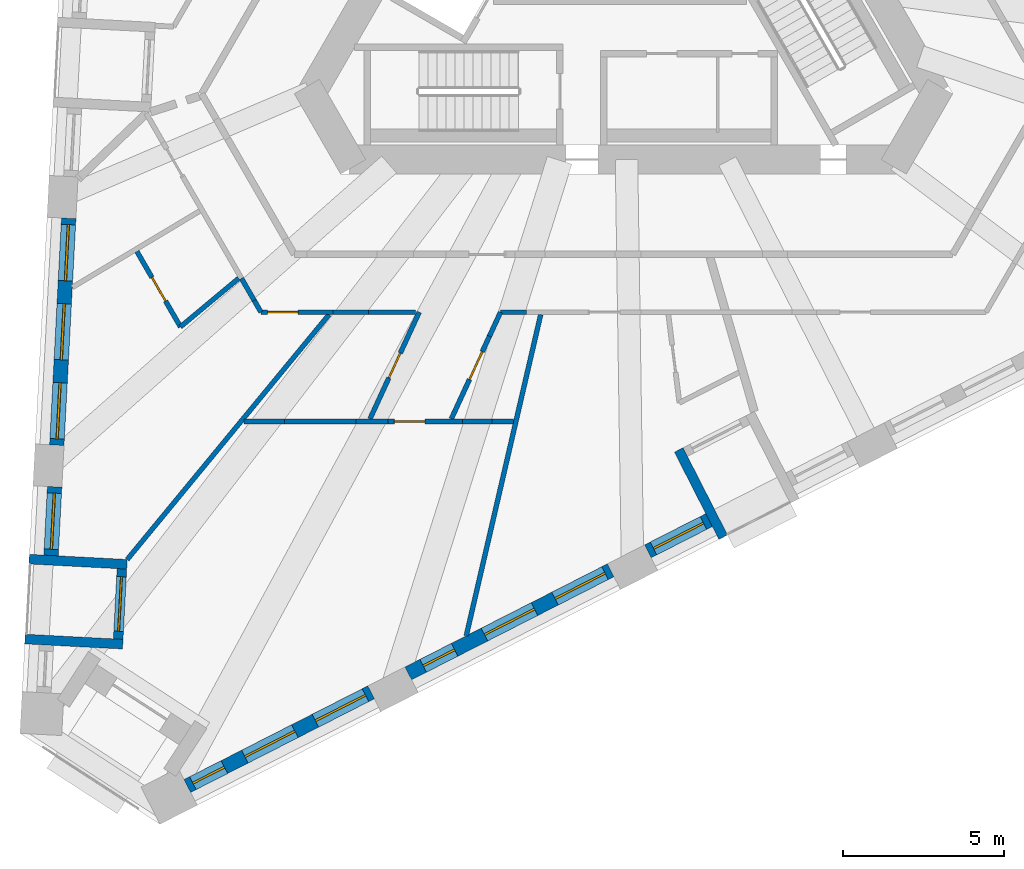
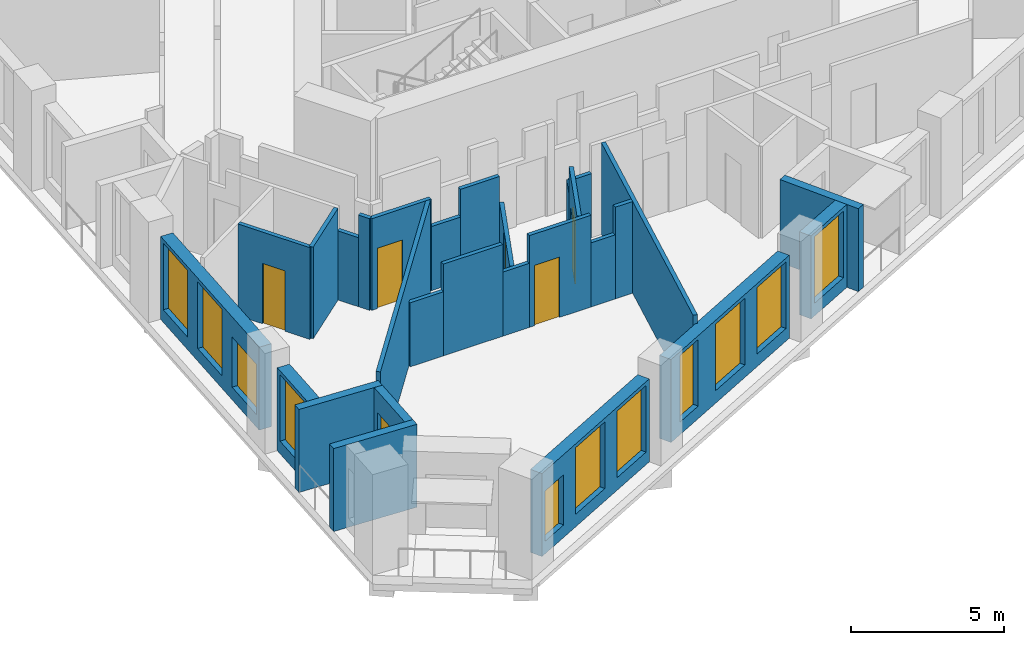
# One storey, part 2 of 13: 28 walls, 11 windows, 6 doors, 17 openings.
"""IFC4 building model written with IfcOpenShell, lengths in metres."""

from ifc_helpers import new_model, si_unit, direction, frame, frame_2d, origin, place, context, subcontext, project, spatial, rectangle, extrude, material, layer, layer_set, type_object, element, fill, save


model = new_model("IFC4")

# Units and contexts
model_context = context("Model", 3, precision=1e-05, world=origin(), true_north=direction((0.0, 1.0)))
body_context = subcontext(model_context, "Body", "Model", "MODEL_VIEW")
ifc_project = project(units=[si_unit("LENGTHUNIT", "METRE"), si_unit("AREAUNIT", "SQUARE_METRE"), si_unit("VOLUMEUNIT", "CUBIC_METRE"), si_unit("PLANEANGLEUNIT", "RADIAN"), si_unit("MASSUNIT", "GRAM", prefix="KILO")], contexts=[model_context])

# Site, building, storey
site_placement = place(None, origin())
site = spatial("IfcSite", under=ifc_project, at=site_placement, CompositionType="ELEMENT")
building_placement = place(site_placement, origin())
building = spatial("IfcBuilding", under=site, at=building_placement, Name="Tramontana Tower", CompositionType="ELEMENT")
storey_placement = place(building_placement, frame((0.0, 0.0, 137.60009765625)))
storey = spatial("IfcBuildingStorey", under=building, at=storey_placement, Name="L31", CompositionType="ELEMENT", Elevation=137.60009765625)

# Wall, openings, windows
ifc_material_1 = material(Name="Precast concrete 60 MPa", Category="concrete")
ifc_layer_1 = layer(ifc_material_1, 0.449951171875)
ifc_layer_set_1 = layer_set([ifc_layer_1], Name="Precast concrete 60 MPa, 450 mm")
wall_type_1 = type_object("IfcWallType", Name="EW1 Stone-faced precast wall 450", PredefinedType="SOLIDWALL", material=ifc_layer_set_1)
wall_1_placement = place(storey_placement, frame((-17.274169921875, -8.128662109375, 0.0), z_axis=(0.0, 0.0, 1.0), x_axis=(-0.052339570873, -0.998629345313, 0.0)))
wall_1 = element("IfcWall", 1, at=wall_1_placement, inside=storey, type_object=wall_type_1, Name="External wall L31 face 0 bay 5", PredefinedType="SOLIDWALL", context=body_context, shape_type="SweptSolid", body=[
    extrude(rectangle(XDim=7.071533203125, YDim=0.449951171875, at=frame_2d((3.53564453125, 0.0))), origin(), (0.0, 0.0, 1.0), 3.2998046875),
])
opening_1_placement = place(wall_1_placement, frame((0.1953125, 0.0, 0.5)))
opening_1 = element("IfcOpeningElement", 2, at=opening_1_placement, cuts=wall_1, Name="Opening M2", PredefinedType="OPENING", context=body_context, shape_type="SweptSolid", body=[
    extrude(rectangle(XDim=1.75, YDim=2.64990234375, at=frame_2d((0.875, 1.324951171875))), frame((0.0, 0.23486328125, 0.0), z_axis=(0.0, -1.0, 0.0), x_axis=(1.0, 0.0, 0.0)), (0.0, 0.0, 1.0), 0.469970703125),
])
opening_2_placement = place(wall_1_placement, frame((2.660888671875, 0.0, 0.5)))
opening_2 = element("IfcOpeningElement", 3, at=opening_2_placement, cuts=wall_1, Name="Opening M2", PredefinedType="OPENING", context=body_context, shape_type="SweptSolid", body=[
    extrude(rectangle(XDim=1.75, YDim=2.64990234375, at=frame_2d((0.875, 1.324951171875))), frame((0.0, 0.23486328125, 0.0), z_axis=(0.0, -1.0, 0.0), x_axis=(1.0, 0.0, 0.0)), (0.0, 0.0, 1.0), 0.469970703125),
])
opening_3_placement = place(wall_1_placement, frame((5.126220703125, 0.0, 0.5)))
opening_3 = element("IfcOpeningElement", 4, at=opening_3_placement, cuts=wall_1, Name="Opening M2L", PredefinedType="OPENING", context=body_context, shape_type="SweptSolid", body=[
    extrude(rectangle(XDim=1.75, YDim=2.0, at=frame_2d((0.875, 1.0))), frame((0.0, 0.23486328125, 0.0), z_axis=(0.0, -1.0, 0.0), x_axis=(1.0, 0.0, 0.0)), (0.0, 0.0, 1.0), 0.469970703125),
])
ifc_material_2 = material(Name="Aluminum frame, double glazing unit", Category="aluminium")
window_type_1 = type_object("IfcWindowType", Name="M2 Window 1.75 x 2.65", PartitioningType="SINGLE_PANEL", PredefinedType="WINDOW", material=ifc_material_2)
window_1_placement = place(opening_1_placement, origin())
window_1 = element("IfcWindow", 5, at=window_1_placement, inside=storey, type_object=window_type_1, Name="Window M2 L31 face 0 module 13", OverallHeight=2.64990234375, OverallWidth=1.75, PartitioningType="SINGLE_PANEL", PredefinedType="WINDOW", context=body_context, shape_type="SweptSolid", body=[
    extrude(rectangle(XDim=1.75, YDim=2.64990234375, at=frame_2d((0.875, 1.324951171875))), frame((0.0, 0.030029296875, 0.0), z_axis=(0.0, -1.0, 0.0), x_axis=(1.0, 0.0, 0.0)), (0.0, 0.0, 1.0), 0.06005859375),
])
fill(opening_1, window_1)
window_2_placement = place(opening_2_placement, origin())
window_2 = element("IfcWindow", 6, at=window_2_placement, inside=storey, type_object=window_type_1, Name="Window M2 L31 face 0 module 14", OverallHeight=2.64990234375, OverallWidth=1.75, PartitioningType="SINGLE_PANEL", PredefinedType="WINDOW", context=body_context, shape_type="SweptSolid", body=[
    extrude(rectangle(XDim=1.75, YDim=2.64990234375, at=frame_2d((0.875, 1.324951171875))), frame((0.0, 0.030029296875, 0.0), z_axis=(0.0, -1.0, 0.0), x_axis=(1.0, 0.0, 0.0)), (0.0, 0.0, 1.0), 0.06005859375),
])
fill(opening_2, window_2)
ifc_material_3 = material(Name="Aluminum frame, double glazing unit", Category="aluminium")
window_type_2 = type_object("IfcWindowType", Name="M2L Window 1.75 x 2", PartitioningType="SINGLE_PANEL", PredefinedType="WINDOW", material=ifc_material_3)
window_3_placement = place(opening_3_placement, origin())
window_3 = element("IfcWindow", 7, at=window_3_placement, inside=storey, type_object=window_type_2, Name="Window M2L L31 face 0 module 15", OverallHeight=2.0, OverallWidth=1.75, PartitioningType="SINGLE_PANEL", PredefinedType="WINDOW", context=body_context, shape_type="SweptSolid", body=[
    extrude(rectangle(XDim=1.75, YDim=2.0, at=frame_2d((0.875, 1.0))), frame((0.0, 0.030029296875, 0.0), z_axis=(0.0, -1.0, 0.0), x_axis=(1.0, 0.0, 0.0)), (0.0, 0.0, 1.0), 0.06005859375),
])
fill(opening_3, window_3)

# Wall, opening, window
wall_2_placement = place(storey_placement, frame((-17.712158203125, -16.48876953125, 0.0), z_axis=(0.0, 0.0, 1.0), x_axis=(-0.05234931875, -0.998628834366, 0.0)))
wall_2 = element("IfcWall", 8, at=wall_2_placement, inside=storey, type_object=wall_type_1, Name="External wall L31 face 0 bay 6", PredefinedType="SOLIDWALL", context=body_context, shape_type="SweptSolid", body=[
    extrude(rectangle(XDim=2.140625, YDim=0.449951171875, at=frame_2d((1.0703125, 0.0))), origin(), (0.0, 0.0, 1.0), 3.2998046875),
])
opening_4_placement = place(wall_2_placement, frame((0.1953125, 0.0, 0.5)))
opening_4 = element("IfcOpeningElement", 9, at=opening_4_placement, cuts=wall_2, Name="Opening M2", PredefinedType="OPENING", context=body_context, shape_type="SweptSolid", body=[
    extrude(rectangle(XDim=1.75, YDim=2.64990234375, at=frame_2d((0.875, 1.324951171875))), frame((0.0, 0.23486328125, 0.0), z_axis=(0.0, -1.0, 0.0), x_axis=(1.0, 0.0, 0.0)), (0.0, 0.0, 1.0), 0.469970703125),
])
window_4_placement = place(opening_4_placement, origin())
window_4 = element("IfcWindow", 10, at=window_4_placement, inside=storey, type_object=window_type_1, Name="Window M2 L31 face 0 module 16", OverallHeight=2.64990234375, OverallWidth=1.75, PartitioningType="SINGLE_PANEL", PredefinedType="WINDOW", context=body_context, shape_type="SweptSolid", body=[
    extrude(rectangle(XDim=1.75, YDim=2.64990234375, at=frame_2d((0.875, 1.324951171875))), frame((0.0, 0.030029296875, 0.0), z_axis=(0.0, -1.0, 0.0), x_axis=(1.0, 0.0, 0.0)), (0.0, 0.0, 1.0), 0.06005859375),
])
fill(opening_4, window_4)

# Wall, openings, windows
wall_3_placement = place(storey_placement, frame((-13.580810546875, -25.802734375, 0.0), z_axis=(0.0, 0.0, 1.0), x_axis=(0.891010191031, 0.453983303085, 0.0)))
wall_3 = element("IfcWall", 11, at=wall_3_placement, inside=storey, type_object=wall_type_1, Name="External wall L31 face 1 bay 1", PredefinedType="SOLIDWALL", context=body_context, shape_type="SweptSolid", body=[
    extrude(rectangle(XDim=6.421630859375, YDim=0.449951171875, at=frame_2d((3.2109375, 0.0))), origin(), (0.0, 0.0, 1.0), 3.2998046875),
])
opening_5_placement = place(wall_3_placement, frame((0.1953125, 0.0, 0.5)))
opening_5 = element("IfcOpeningElement", 12, at=opening_5_placement, cuts=wall_3, Name="Opening N2L", PredefinedType="OPENING", context=body_context, shape_type="SweptSolid", body=[
    extrude(rectangle(XDim=1.10009765625, YDim=2.0, at=frame_2d((0.550048828125, 1.0))), frame((0.0, 0.23486328125, 0.0), z_axis=(0.0, -1.0, 0.0), x_axis=(1.0, 0.0, 0.0)), (0.0, 0.0, 1.0), 0.469970703125),
])
opening_6_placement = place(wall_3_placement, frame((2.0107421875, 0.0, 0.5)))
opening_6 = element("IfcOpeningElement", 13, at=opening_6_placement, cuts=wall_3, Name="Opening M2", PredefinedType="OPENING", context=body_context, shape_type="SweptSolid", body=[
    extrude(rectangle(XDim=1.75, YDim=2.64990234375, at=frame_2d((0.875, 1.324951171875))), frame((0.0, 0.23486328125, 0.0), z_axis=(0.0, -1.0, 0.0), x_axis=(1.0, 0.0, 0.0)), (0.0, 0.0, 1.0), 0.469970703125),
])
opening_7_placement = place(wall_3_placement, frame((4.476318359375, 0.0, 0.5)))
opening_7 = element("IfcOpeningElement", 14, at=opening_7_placement, cuts=wall_3, Name="Opening M2", PredefinedType="OPENING", context=body_context, shape_type="SweptSolid", body=[
    extrude(rectangle(XDim=1.75, YDim=2.64990234375, at=frame_2d((0.875, 1.324951171875))), frame((0.0, 0.23486328125, 0.0), z_axis=(0.0, -1.0, 0.0), x_axis=(1.0, 0.0, 0.0)), (0.0, 0.0, 1.0), 0.469970703125),
])
window_5_placement = place(opening_6_placement, origin())
window_5 = element("IfcWindow", 15, at=window_5_placement, inside=storey, type_object=window_type_1, Name="Window M2 L31 face 1 module 2", OverallHeight=2.64990234375, OverallWidth=1.75, PartitioningType="SINGLE_PANEL", PredefinedType="WINDOW", context=body_context, shape_type="SweptSolid", body=[
    extrude(rectangle(XDim=1.75, YDim=2.64990234375, at=frame_2d((0.875, 1.324951171875))), frame((0.0, 0.030029296875, 0.0), z_axis=(0.0, -1.0, 0.0), x_axis=(1.0, 0.0, 0.0)), (0.0, 0.0, 1.0), 0.06005859375),
])
fill(opening_6, window_5)
window_6_placement = place(opening_7_placement, origin())
window_6 = element("IfcWindow", 16, at=window_6_placement, inside=storey, type_object=window_type_1, Name="Window M2 L31 face 1 module 3", OverallHeight=2.64990234375, OverallWidth=1.75, PartitioningType="SINGLE_PANEL", PredefinedType="WINDOW", context=body_context, shape_type="SweptSolid", body=[
    extrude(rectangle(XDim=1.75, YDim=2.64990234375, at=frame_2d((0.875, 1.324951171875))), frame((0.0, 0.030029296875, 0.0), z_axis=(0.0, -1.0, 0.0), x_axis=(1.0, 0.0, 0.0)), (0.0, 0.0, 1.0), 0.06005859375),
])
fill(opening_7, window_6)
ifc_material_4 = material(Name="Aluminum frame, double glazing unit", Category="aluminium")
window_type_3 = type_object("IfcWindowType", Name="N2L Window 1.1 x 2", PartitioningType="SINGLE_PANEL", PredefinedType="WINDOW", material=ifc_material_4)
window_7_placement = place(opening_5_placement, origin())
window_7 = element("IfcWindow", 17, at=window_7_placement, inside=storey, type_object=window_type_3, Name="Window N2L L31 face 1 module 1", OverallHeight=2.0, OverallWidth=1.10009765625, PartitioningType="SINGLE_PANEL", PredefinedType="WINDOW", context=body_context, shape_type="SweptSolid", body=[
    extrude(rectangle(XDim=1.10009765625, YDim=2.0, at=frame_2d((0.550048828125, 1.0))), frame((0.0, 0.030029296875, 0.0), z_axis=(0.0, -1.0, 0.0), x_axis=(1.0, 0.0, 0.0)), (0.0, 0.0, 1.0), 0.06005859375),
])
fill(opening_5, window_7)

wall_4_placement = place(storey_placement, frame((-6.70068359375, -22.29736328125, 0.0), z_axis=(0.0, 0.0, 1.0), x_axis=(0.891004189171, 0.45399508244, 0.0)))
wall_4 = element("IfcWall", 18, at=wall_4_placement, inside=storey, type_object=wall_type_1, Name="External wall L31 face 1 bay 2", PredefinedType="SOLIDWALL", context=body_context, shape_type="SweptSolid", body=[
    extrude(rectangle(XDim=7.071533203125, YDim=0.449951171875, at=frame_2d((3.53564453125, 0.0))), origin(), (0.0, 0.0, 1.0), 3.2998046875),
])
opening_8_placement = place(wall_4_placement, frame((0.520263671875, 0.0, 0.5)))
opening_8 = element("IfcOpeningElement", 19, at=opening_8_placement, cuts=wall_4, Name="Opening N2", PredefinedType="OPENING", context=body_context, shape_type="SweptSolid", body=[
    extrude(rectangle(XDim=1.10009765625, YDim=2.64990234375, at=frame_2d((0.550048828125, 1.324951171875))), frame((0.0, 0.23486328125, 0.0), z_axis=(0.0, -1.0, 0.0), x_axis=(1.0, 0.0, 0.0)), (0.0, 0.0, 1.0), 0.469970703125),
])
opening_9_placement = place(wall_4_placement, frame((2.660888671875, 0.0, 0.5)))
opening_9 = element("IfcOpeningElement", 20, at=opening_9_placement, cuts=wall_4, Name="Opening M2", PredefinedType="OPENING", context=body_context, shape_type="SweptSolid", body=[
    extrude(rectangle(XDim=1.75, YDim=2.64990234375, at=frame_2d((0.875, 1.324951171875))), frame((0.0, 0.23486328125, 0.0), z_axis=(0.0, -1.0, 0.0), x_axis=(1.0, 0.0, 0.0)), (0.0, 0.0, 1.0), 0.469970703125),
])
opening_10_placement = place(wall_4_placement, frame((5.126220703125, 0.0, 0.5)))
opening_10 = element("IfcOpeningElement", 21, at=opening_10_placement, cuts=wall_4, Name="Opening M2", PredefinedType="OPENING", context=body_context, shape_type="SweptSolid", body=[
    extrude(rectangle(XDim=1.75, YDim=2.64990234375, at=frame_2d((0.875, 1.324951171875))), frame((0.0, 0.23486328125, 0.0), z_axis=(0.0, -1.0, 0.0), x_axis=(1.0, 0.0, 0.0)), (0.0, 0.0, 1.0), 0.469970703125),
])
window_8_placement = place(opening_9_placement, origin())
window_8 = element("IfcWindow", 22, at=window_8_placement, inside=storey, type_object=window_type_1, Name="Window M2 L31 face 1 module 5", OverallHeight=2.64990234375, OverallWidth=1.75, PartitioningType="SINGLE_PANEL", PredefinedType="WINDOW", context=body_context, shape_type="SweptSolid", body=[
    extrude(rectangle(XDim=1.75, YDim=2.64990234375, at=frame_2d((0.875, 1.324951171875))), frame((0.0, 0.030029296875, 0.0), z_axis=(0.0, -1.0, 0.0), x_axis=(1.0, 0.0, 0.0)), (0.0, 0.0, 1.0), 0.06005859375),
])
fill(opening_9, window_8)
window_9_placement = place(opening_10_placement, origin())
window_9 = element("IfcWindow", 23, at=window_9_placement, inside=storey, type_object=window_type_1, Name="Window M2 L31 face 1 module 6", OverallHeight=2.64990234375, OverallWidth=1.75, PartitioningType="SINGLE_PANEL", PredefinedType="WINDOW", context=body_context, shape_type="SweptSolid", body=[
    extrude(rectangle(XDim=1.75, YDim=2.64990234375, at=frame_2d((0.875, 1.324951171875))), frame((0.0, 0.030029296875, 0.0), z_axis=(0.0, -1.0, 0.0), x_axis=(1.0, 0.0, 0.0)), (0.0, 0.0, 1.0), 0.06005859375),
])
fill(opening_10, window_9)
ifc_material_5 = material(Name="Aluminum frame, double glazing unit", Category="aluminium")
window_type_4 = type_object("IfcWindowType", Name="N2 Window 1.1 x 2.65", PartitioningType="SINGLE_PANEL", PredefinedType="WINDOW", material=ifc_material_5)
window_10_placement = place(opening_8_placement, origin())
window_10 = element("IfcWindow", 24, at=window_10_placement, inside=storey, type_object=window_type_4, Name="Window N2 L31 face 1 module 4", OverallHeight=2.64990234375, OverallWidth=1.10009765625, PartitioningType="SINGLE_PANEL", PredefinedType="WINDOW", context=body_context, shape_type="SweptSolid", body=[
    extrude(rectangle(XDim=1.10009765625, YDim=2.64990234375, at=frame_2d((0.550048828125, 1.324951171875))), frame((0.0, 0.030029296875, 0.0), z_axis=(0.0, -1.0, 0.0), x_axis=(1.0, 0.0, 0.0)), (0.0, 0.0, 1.0), 0.06005859375),
])
fill(opening_8, window_10)

# Wall, opening, window
wall_5_placement = place(storey_placement, frame((0.75830078125, -18.496826171875, 0.0), z_axis=(0.0, 0.0, 1.0), x_axis=(0.890979432498, 0.454043666254, 0.0)))
wall_5 = element("IfcWall", 25, at=wall_5_placement, inside=storey, type_object=wall_type_1, Name="External wall L31 face 1 bay 3", PredefinedType="SOLIDWALL", context=body_context, shape_type="SweptSolid", body=[
    extrude(rectangle(XDim=2.140625, YDim=0.449951171875, at=frame_2d((1.0703125, 0.0))), origin(), (0.0, 0.0, 1.0), 3.2998046875),
])
opening_11_placement = place(wall_5_placement, frame((0.1953125, 0.0, 0.5)))
opening_11 = element("IfcOpeningElement", 26, at=opening_11_placement, cuts=wall_5, Name="Opening M2", PredefinedType="OPENING", context=body_context, shape_type="SweptSolid", body=[
    extrude(rectangle(XDim=1.75, YDim=2.64990234375, at=frame_2d((0.875, 1.324951171875))), frame((0.0, 0.23486328125, 0.0), z_axis=(0.0, -1.0, 0.0), x_axis=(1.0, 0.0, 0.0)), (0.0, 0.0, 1.0), 0.469970703125),
])
window_11_placement = place(opening_11_placement, origin())
window_11 = element("IfcWindow", 27, at=window_11_placement, inside=storey, type_object=window_type_1, Name="Window M2 L31 face 1 module 7", OverallHeight=2.64990234375, OverallWidth=1.75, PartitioningType="SINGLE_PANEL", PredefinedType="WINDOW", context=body_context, shape_type="SweptSolid", body=[
    extrude(rectangle(XDim=1.75, YDim=2.64990234375, at=frame_2d((0.875, 1.324951171875))), frame((0.0, 0.030029296875, 0.0), z_axis=(0.0, -1.0, 0.0), x_axis=(1.0, 0.0, 0.0)), (0.0, 0.0, 1.0), 0.06005859375),
])
fill(opening_11, window_11)

# Wall, opening, door
ifc_material_6 = material(Name="Precast concrete 60 MPa", Category="concrete")
ifc_layer_2 = layer(ifc_material_6, 0.300048828125)
ifc_layer_set_2 = layer_set([ifc_layer_2], Name="LW1 Stone-faced loggia wall 300")
wall_type_2 = type_object("IfcWallType", Name="LW1 Stone-faced loggia wall 300", PredefinedType="SOLIDWALL", material=ifc_layer_set_2)
wall_6_placement = place(storey_placement, frame((-15.617919921875, -19.04248046875, 0.0), z_axis=(0.0, 0.0, 1.0), x_axis=(-0.052383338583, -0.998627050424, 0.0)))
wall_6 = element("IfcWall", 28, at=wall_6_placement, inside=storey, type_object=wall_type_2, Name="Loggia wall L31 G3S0.16", PredefinedType="SOLIDWALL", context=body_context, shape_type="SweptSolid", body=[
    extrude(rectangle(XDim=2.1904296875, YDim=0.300048828125, at=frame_2d((1.09521484375, 0.0))), origin(), (0.0, 0.0, 1.0), 3.2998046875),
])
opening_12_placement = place(wall_6_placement, frame((0.245361328125, 0.0, 0.0)))
opening_12 = element("IfcOpeningElement", 29, at=opening_12_placement, cuts=wall_6, Name="Opening BD-3S0-16", PredefinedType="OPENING", context=body_context, shape_type="SweptSolid", body=[
    extrude(rectangle(XDim=1.699951171875, YDim=2.449951171875, at=frame_2d((0.85009765625, 1.22509765625))), frame((0.0, 0.159912109375, 0.0), z_axis=(0.0, -1.0, 0.0), x_axis=(1.0, 0.0, 0.0)), (0.0, 0.0, 1.0), 0.320068359375),
])
ifc_material_7 = material(Name="Aluminum frame, double glazing unit", Category="aluminium")
door_type_1 = type_object("IfcDoorType", Name="BD2 Sliding door 1.7 x 2.45", OperationType="SLIDING_TO_LEFT", PredefinedType="DOOR", material=ifc_material_7)
door_1_placement = place(opening_12_placement, origin())
door_1 = element("IfcDoor", 30, at=door_1_placement, inside=storey, type_object=door_type_1, Name="Loggia door L31 G3S0.16", OperationType="SLIDING_TO_LEFT", OverallHeight=2.449951171875, OverallWidth=1.699951171875, PredefinedType="DOOR", context=body_context, shape_type="SweptSolid", body=[
    extrude(rectangle(XDim=1.699951171875, YDim=2.449951171875, at=frame_2d((0.85009765625, 1.22509765625))), frame((0.0, 0.02490234375, 0.0), z_axis=(0.0, -1.0, 0.0), x_axis=(1.0, 0.0, 0.0)), (0.0, 0.0, 1.0), 0.050048828125),
])
fill(opening_12, door_1)

# Walls
for number, where, z_axis, x_axis, name in (
    (31, (-18.506103515625, -18.74072265625, 0.0), (0.0, 0.0, 1.0), (0.998628643661, -0.052352956549, 0.0), "Loggia return L31 G3S0.16a"),
    (32, (-18.636474609375, -21.22802734375, 0.0), (0.0, 0.0, 1.0), (0.998632825615, -0.05227312506, 0.0), "Loggia return L31 G3S0.16b"),
):
    element("IfcWall", number, at=place(storey_placement, frame(where, z_axis=z_axis, x_axis=x_axis)), inside=storey, type_object=wall_type_2, Name=name, PredefinedType="SOLIDWALL", context=body_context, shape_type="SweptSolid", body=[
        extrude(rectangle(XDim=3.0498046875, YDim=0.300048828125, at=frame_2d((1.52490234375, 0.0))), origin(), (0.0, 0.0, 1.0), 3.2998046875),
    ])
wall_7_placement = place(storey_placement, frame((3.105712890625, -18.058349609375, 0.0), z_axis=(0.0, 0.0, 1.0), x_axis=(-0.453988129332, 0.891007731968, 0.0)))
element("IfcWall", 33, at=wall_7_placement, inside=storey, type_object=wall_type_2, Name="Loggia return L31 G3S1.7a", PredefinedType="SOLIDWALL", context=body_context, shape_type="SweptSolid", body=[
    extrude(rectangle(XDim=3.05029296875, YDim=0.300048828125, at=frame_2d((1.525146484375, 0.0))), origin(), (0.0, 0.0, 1.0), 3.2998046875),
])
ifc_material_8 = material(Name="Gypsum board partition")
ifc_layer_3 = layer(ifc_material_8, 0.14990234375)
ifc_layer_set_3 = layer_set([ifc_layer_3], Name="PARTITION 150")
wall_type_3 = type_object("IfcWallType", Name="PARTITION 150", PredefinedType="PARTITIONING", material=ifc_layer_set_3)
wall_8_placement = place(storey_placement, frame((-15.452392578125, -18.750732421875, 0.0), z_axis=(0.0, 0.0, 1.0), x_axis=(0.63595836467, 0.771723369094, 0.0)))
element("IfcWall", 34, at=wall_8_placement, inside=storey, type_object=wall_type_3, Name="Wall v31-pw01", PredefinedType="PARTITIONING", context=body_context, shape_type="SweptSolid", body=[
    extrude(rectangle(XDim=9.88134765625, YDim=0.14990234375, at=frame_2d((4.940673828125, 0.0))), origin(), (0.0, 0.0, 1.0), 3.64990234375),
])

# Wall, opening, door
wall_9_placement = place(storey_placement, frame((-15.1494140625, -9.160400390625, 0.0), z_axis=(0.0, 0.0, 1.0), x_axis=(0.499995396135, -0.866028061811, 0.0)))
wall_9 = element("IfcWall", 35, at=wall_9_placement, inside=storey, type_object=wall_type_3, Name="Wall v31-pw06", PredefinedType="PARTITIONING", context=body_context, shape_type="SweptSolid", body=[
    extrude(rectangle(XDim=2.7099609375, YDim=0.14990234375, at=frame_2d((1.35498046875, 0.0))), origin(), (0.0, 0.0, 1.0), 3.64990234375),
])
opening_13_placement = place(wall_9_placement, frame((0.929931640625, 0.0, 0.0)))
opening_13 = element("IfcOpeningElement", 36, at=opening_13_placement, cuts=wall_9, Name="Opening B3B-15", PredefinedType="OPENING", context=body_context, shape_type="SweptSolid", body=[
    extrude(rectangle(XDim=0.85009765625, YDim=2.39990234375, at=frame_2d((0.425048828125, 1.199951171875))), frame((0.0, 0.0849609375, 0.0), z_axis=(0.0, -1.0, 0.0), x_axis=(1.0, 0.0, 0.0)), (0.0, 0.0, 1.0), 0.169921875),
])
ifc_material_9 = material(Name="Painted timber", Category="wood")
door_type_2 = type_object("IfcDoorType", Name="DOOR BATH 850", OperationType="SINGLE_SWING_LEFT", PredefinedType="DOOR", material=ifc_material_9)
door_2_placement = place(opening_13_placement, origin())
door_2 = element("IfcDoor", 37, at=door_2_placement, inside=storey, type_object=door_type_2, Name="Door B3B-15", OperationType="SINGLE_SWING_LEFT", OverallHeight=2.39990234375, OverallWidth=0.85009765625, PredefinedType="DOOR", context=body_context, shape_type="SweptSolid", body=[
    extrude(rectangle(XDim=0.85009765625, YDim=2.39990234375, at=frame_2d((0.425048828125, 1.199951171875))), frame((0.0, 0.02490234375, 0.0), z_axis=(0.0, -1.0, 0.0), x_axis=(1.0, 0.0, 0.0)), (0.0, 0.0, 1.0), 0.050048828125),
])
fill(opening_13, door_2)

# Walls
wall_10_placement = place(storey_placement, frame((-11.982421875, -9.995849609375, 0.0), z_axis=(0.0, 0.0, 1.0), x_axis=(-0.767915886213, -0.640550694091, 0.0)))
element("IfcWall", 38, at=wall_10_placement, inside=storey, type_object=wall_type_3, Name="Wall v31-pw09", PredefinedType="PARTITIONING", context=body_context, shape_type="SweptSolid", body=[
    extrude(rectangle(XDim=2.359619140625, YDim=0.14990234375, at=frame_2d((1.1796875, 0.0))), origin(), (0.0, 0.0, 1.0), 3.64990234375),
])
wall_11_placement = place(storey_placement, frame((-11.287109375, -11.050048828125, 0.0), z_axis=(0.0, 0.0, 1.0), x_axis=(-0.499922110319, 0.866070368743, 0.0)))
element("IfcWall", 39, at=wall_11_placement, inside=storey, type_object=wall_type_3, Name="Wall v31-pw11-0", PredefinedType="PARTITIONING", context=body_context, shape_type="SweptSolid", body=[
    extrude(rectangle(XDim=0.42333984375, YDim=0.14990234375, at=frame_2d((0.211669921875, 0.0))), origin(), (0.0, 0.0, 1.0), 3.64990234375),
])
wall_12_placement = place(storey_placement, frame((-11.498779296875, -10.683349609375, 0.0), z_axis=(0.0, 0.0, 1.0), x_axis=(-0.50012328804, 0.865954211699, 0.0)))
element("IfcWall", 40, at=wall_12_placement, inside=storey, type_object=wall_type_3, Name="Wall v31-pw11-1", PredefinedType="PARTITIONING", context=body_context, shape_type="SweptSolid", body=[
    extrude(rectangle(XDim=0.790771484375, YDim=0.14990234375, at=frame_2d((0.3955078125, 0.0))), origin(), (0.0, 0.0, 1.0), 2.75),
])

# Wall, opening, door
wall_13_placement = place(storey_placement, frame((-7.89501953125, -14.375, 0.0), z_axis=(0.0, 0.0, 1.0), x_axis=(0.418745248329, 0.908103747929, 0.0)))
wall_13 = element("IfcWall", 41, at=wall_13_placement, inside=storey, type_object=wall_type_3, Name="Wall v31-pw16-0", PredefinedType="PARTITIONING", context=body_context, shape_type="SweptSolid", body=[
    extrude(rectangle(XDim=3.661376953125, YDim=0.14990234375, at=frame_2d((1.83056640625, 0.0))), origin(), (0.0, 0.0, 1.0), 2.5498046875),
])
opening_14_placement = place(wall_13_placement, frame((1.40576171875, 0.0, 0.0)))
opening_14 = element("IfcOpeningElement", 42, at=opening_14_placement, cuts=wall_13, Name="Opening B3B-10", PredefinedType="OPENING", context=body_context, shape_type="SweptSolid", body=[
    extrude(rectangle(XDim=0.85009765625, YDim=2.39990234375, at=frame_2d((0.425048828125, 1.199951171875))), frame((0.0, 0.0849609375, 0.0), z_axis=(0.0, -1.0, 0.0), x_axis=(1.0, 0.0, 0.0)), (0.0, 0.0, 1.0), 0.169921875),
])
door_3_placement = place(opening_14_placement, origin())
door_3 = element("IfcDoor", 43, at=door_3_placement, inside=storey, type_object=door_type_2, Name="Door B3B-10", OperationType="SINGLE_SWING_RIGHT", OverallHeight=2.39990234375, OverallWidth=0.85009765625, PredefinedType="DOOR", context=body_context, shape_type="SweptSolid", body=[
    extrude(rectangle(XDim=0.85009765625, YDim=2.39990234375, at=frame_2d((0.425048828125, 1.199951171875))), frame((0.0, 0.02490234375, 0.0), z_axis=(0.0, -1.0, 0.0), x_axis=(1.0, 0.0, 0.0)), (0.0, 0.0, 1.0), 0.050048828125),
])
fill(opening_14, door_3)

# Walls
wall_14_placement = place(storey_placement, frame((-6.48291015625, -11.050048828125, 0.0), z_axis=(0.0, 0.0, 1.0), x_axis=(-1.0, 0.0, 0.0)))
element("IfcWall", 44, at=wall_14_placement, inside=storey, type_object=wall_type_3, Name="Wall v31-pw20-1", PredefinedType="PARTITIONING", context=body_context, shape_type="SweptSolid", body=[
    extrude(rectangle(XDim=1.461669921875, YDim=0.14990234375, at=frame_2d((0.73095703125, 0.0))), origin(), (0.0, 0.0, 1.0), 3.64990234375),
])
wall_15_placement = place(storey_placement, frame((-7.944580078125, -11.050048828125, 0.0), z_axis=(0.0, 0.0, 1.0), x_axis=(-1.0, 0.0, 0.0)))
element("IfcWall", 45, at=wall_15_placement, inside=storey, type_object=wall_type_3, Name="Wall v31-pw20-2", PredefinedType="PARTITIONING", context=body_context, shape_type="SweptSolid", body=[
    extrude(rectangle(XDim=1.103759765625, YDim=0.14990234375, at=frame_2d((0.5517578125, 0.0))), origin(), (0.0, 0.0, 1.0), 2.5498046875),
])

# Wall, opening, door
wall_16_placement = place(storey_placement, frame((-9.04833984375, -11.050048828125, 0.0), z_axis=(0.0, 0.0, 1.0), x_axis=(-1.0, 0.0, 0.0)))
wall_16 = element("IfcWall", 46, at=wall_16_placement, inside=storey, type_object=wall_type_3, Name="Wall v31-pw20-3", PredefinedType="PARTITIONING", context=body_context, shape_type="SweptSolid", body=[
    extrude(rectangle(XDim=2.23876953125, YDim=0.14990234375, at=frame_2d((1.119384765625, 0.0))), origin(), (0.0, 0.0, 1.0), 3.64990234375),
])
opening_15_placement = place(wall_16_placement, frame((1.08349609375, 0.0, 0.0)))
opening_15 = element("IfcOpeningElement", 47, at=opening_15_placement, cuts=wall_16, Name="Opening B3B-12", PredefinedType="OPENING", context=body_context, shape_type="SweptSolid", body=[
    extrude(rectangle(XDim=0.949951171875, YDim=2.39990234375, at=frame_2d((0.47509765625, 1.199951171875))), frame((0.0, 0.0849609375, 0.0), z_axis=(0.0, -1.0, 0.0), x_axis=(1.0, 0.0, 0.0)), (0.0, 0.0, 1.0), 0.169921875),
])
ifc_material_10 = material(Name="Painted timber", Category="wood")
door_type_3 = type_object("IfcDoorType", Name="DOOR ROOM 950", OperationType="SINGLE_SWING_LEFT", PredefinedType="DOOR", material=ifc_material_10)
door_4_placement = place(opening_15_placement, origin())
door_4 = element("IfcDoor", 48, at=door_4_placement, inside=storey, type_object=door_type_3, Name="Door B3B-12", OperationType="SINGLE_SWING_RIGHT", OverallHeight=2.39990234375, OverallWidth=0.949951171875, PredefinedType="DOOR", context=body_context, shape_type="SweptSolid", body=[
    extrude(rectangle(XDim=0.949951171875, YDim=2.39990234375, at=frame_2d((0.47509765625, 1.199951171875))), frame((0.0, 0.02490234375, 0.0), z_axis=(0.0, -1.0, 0.0), x_axis=(1.0, 0.0, 0.0)), (0.0, 0.0, 1.0), 0.050048828125),
])
fill(opening_15, door_4)

# Wall
wall_17_placement = place(storey_placement, frame((-3.8291015625, -11.050048828125, 0.0), z_axis=(0.0, 0.0, 1.0), x_axis=(-0.418663560872, -0.908141411234, 0.0)))
element("IfcWall", 49, at=wall_17_placement, inside=storey, type_object=wall_type_3, Name="Wall v31-pw23-0", PredefinedType="PARTITIONING", context=body_context, shape_type="SweptSolid", body=[
    extrude(rectangle(XDim=0.823974609375, YDim=0.14990234375, at=frame_2d((0.412109375, 0.0))), origin(), (0.0, 0.0, 1.0), 2.5498046875),
])

# Wall, opening, door
wall_18_placement = place(storey_placement, frame((-4.174072265625, -11.79833984375, 0.0), z_axis=(0.0, 0.0, 1.0), x_axis=(-0.418768969378, -0.908092809291, 0.0)))
wall_18 = element("IfcWall", 50, at=wall_18_placement, inside=storey, type_object=wall_type_3, Name="Wall v31-pw23-1", PredefinedType="PARTITIONING", context=body_context, shape_type="SweptSolid", body=[
    extrude(rectangle(XDim=2.83740234375, YDim=0.14990234375, at=frame_2d((1.418701171875, 0.0))), origin(), (0.0, 0.0, 1.0), 3.64990234375),
])
opening_16_placement = place(wall_18_placement, frame((0.53173828125, 0.0, 0.0)))
opening_16 = element("IfcOpeningElement", 51, at=opening_16_placement, cuts=wall_18, Name="Opening B3B-09", PredefinedType="OPENING", context=body_context, shape_type="SweptSolid", body=[
    extrude(rectangle(XDim=0.949951171875, YDim=2.39990234375, at=frame_2d((0.47509765625, 1.199951171875))), frame((0.0, 0.0849609375, 0.0), z_axis=(0.0, -1.0, 0.0), x_axis=(1.0, 0.0, 0.0)), (0.0, 0.0, 1.0), 0.169921875),
])
door_5_placement = place(opening_16_placement, origin())
door_5 = element("IfcDoor", 52, at=door_5_placement, inside=storey, type_object=door_type_3, Name="Door B3B-09", OperationType="SINGLE_SWING_LEFT", OverallHeight=2.39990234375, OverallWidth=0.949951171875, PredefinedType="DOOR", context=body_context, shape_type="SweptSolid", body=[
    extrude(rectangle(XDim=0.949951171875, YDim=2.39990234375, at=frame_2d((0.47509765625, 1.199951171875))), frame((0.0, 0.02490234375, 0.0), z_axis=(0.0, -1.0, 0.0), x_axis=(1.0, 0.0, 0.0)), (0.0, 0.0, 1.0), 0.050048828125),
])
fill(opening_16, door_5)

# Walls
wall_19_placement = place(storey_placement, frame((-3.42578125, -14.449951171875, 0.0), z_axis=(0.0, 0.0, 1.0), x_axis=(-1.0, 0.0, 0.0)))
element("IfcWall", 53, at=wall_19_placement, inside=storey, type_object=wall_type_3, Name="Wall v31-pw24-0", PredefinedType="PARTITIONING", context=body_context, shape_type="SweptSolid", body=[
    extrude(rectangle(XDim=0.666015625, YDim=0.14990234375, at=frame_2d((0.3330078125, 0.0))), origin(), (0.0, 0.0, 1.0), 3.64990234375),
])
wall_20_placement = place(storey_placement, frame((-4.091796875, -14.449951171875, 0.0), z_axis=(0.0, 0.0, 1.0), x_axis=(-1.0, 0.0, 0.0)))
element("IfcWall", 54, at=wall_20_placement, inside=storey, type_object=wall_type_3, Name="Wall v31-pw24-1", PredefinedType="PARTITIONING", context=body_context, shape_type="SweptSolid", body=[
    extrude(rectangle(XDim=0.917236328125, YDim=0.14990234375, at=frame_2d((0.45849609375, 0.0))), origin(), (0.0, 0.0, 1.0), 2.5498046875),
])

# Wall, opening, door
wall_21_placement = place(storey_placement, frame((-5.009033203125, -14.449951171875, 0.0), z_axis=(0.0, 0.0, 1.0), x_axis=(-1.0, 0.0, 0.0)))
wall_21 = element("IfcWall", 55, at=wall_21_placement, inside=storey, type_object=wall_type_3, Name="Wall v31-pw24-2", PredefinedType="PARTITIONING", context=body_context, shape_type="SweptSolid", body=[
    extrude(rectangle(XDim=2.320556640625, YDim=0.14990234375, at=frame_2d((1.16015625, 0.0))), origin(), (0.0, 0.0, 1.0), 3.64990234375),
])
opening_17_placement = place(wall_21_placement, frame((1.178466796875, 0.0, 0.0)))
opening_17 = element("IfcOpeningElement", 56, at=opening_17_placement, cuts=wall_21, Name="Opening B3B-11", PredefinedType="OPENING", context=body_context, shape_type="SweptSolid", body=[
    extrude(rectangle(XDim=0.949951171875, YDim=2.39990234375, at=frame_2d((0.47509765625, 1.199951171875))), frame((0.0, 0.0849609375, 0.0), z_axis=(0.0, -1.0, 0.0), x_axis=(1.0, 0.0, 0.0)), (0.0, 0.0, 1.0), 0.169921875),
])
door_6_placement = place(opening_17_placement, origin())
door_6 = element("IfcDoor", 57, at=door_6_placement, inside=storey, type_object=door_type_3, Name="Door B3B-11", OperationType="SINGLE_SWING_LEFT", OverallHeight=2.39990234375, OverallWidth=0.949951171875, PredefinedType="DOOR", context=body_context, shape_type="SweptSolid", body=[
    extrude(rectangle(XDim=0.949951171875, YDim=2.39990234375, at=frame_2d((0.47509765625, 1.199951171875))), frame((0.0, 0.02490234375, 0.0), z_axis=(0.0, -1.0, 0.0), x_axis=(1.0, 0.0, 0.0)), (0.0, 0.0, 1.0), 0.050048828125),
])
fill(opening_17, door_6)

# Walls
wall_22_placement = place(storey_placement, frame((-7.32958984375, -14.449951171875, 0.0), z_axis=(0.0, 0.0, 1.0), x_axis=(-1.0, 0.0, 0.0)))
element("IfcWall", 58, at=wall_22_placement, inside=storey, type_object=wall_type_3, Name="Wall v31-pw24-3", PredefinedType="PARTITIONING", context=body_context, shape_type="SweptSolid", body=[
    extrude(rectangle(XDim=0.9951171875, YDim=0.14990234375, at=frame_2d((0.49755859375, 0.0))), origin(), (0.0, 0.0, 1.0), 2.5498046875),
])
wall_23_placement = place(storey_placement, frame((-8.32470703125, -14.449951171875, 0.0), z_axis=(0.0, 0.0, 1.0), x_axis=(-1.0, 0.0, 0.0)))
element("IfcWall", 59, at=wall_23_placement, inside=storey, type_object=wall_type_3, Name="Wall v31-pw24-4", PredefinedType="PARTITIONING", context=body_context, shape_type="SweptSolid", body=[
    extrude(rectangle(XDim=2.234130859375, YDim=0.14990234375, at=frame_2d((1.1171875, 0.0))), origin(), (0.0, 0.0, 1.0), 3.64990234375),
])
wall_24_placement = place(storey_placement, frame((-10.558837890625, -14.449951171875, 0.0), z_axis=(0.0, 0.0, 1.0), x_axis=(-1.0, 0.0, 0.0)))
element("IfcWall", 60, at=wall_24_placement, inside=storey, type_object=wall_type_3, Name="Wall v31-pw24-5", PredefinedType="PARTITIONING", context=body_context, shape_type="SweptSolid", body=[
    extrude(rectangle(XDim=1.252197265625, YDim=0.14990234375, at=frame_2d((0.6259765625, 0.0))), origin(), (0.0, 0.0, 1.0), 2.5498046875),
])
wall_25_placement = place(storey_placement, frame((-2.578125, -11.125, 0.0), z_axis=(0.0, 0.0, 1.0), x_axis=(-0.225778284411, -0.974178713732, 0.0)))
element("IfcWall", 61, at=wall_25_placement, inside=storey, type_object=wall_type_3, Name="Wall v31-pw25", PredefinedType="PARTITIONING", context=body_context, shape_type="SweptSolid", body=[
    extrude(rectangle(XDim=10.26513671875, YDim=0.14990234375, at=frame_2d((5.132568359375, 0.0))), origin(), (0.0, 0.0, 1.0), 3.64990234375),
])
wall_26_placement = place(storey_placement, frame((-3.02099609375, -11.050048828125, 0.0), z_axis=(0.0, 0.0, 1.0), x_axis=(-1.0, 0.0, 0.0)))
element("IfcWall", 62, at=wall_26_placement, inside=storey, type_object=wall_type_3, Name="Wall v31-pw35-5", PredefinedType="PARTITIONING", context=body_context, shape_type="SweptSolid", body=[
    extrude(rectangle(XDim=0.80810546875, YDim=0.14990234375, at=frame_2d((0.404052734375, 0.0))), origin(), (0.0, 0.0, 1.0), 2.5498046875),
])

save(model, "model.ifc")
